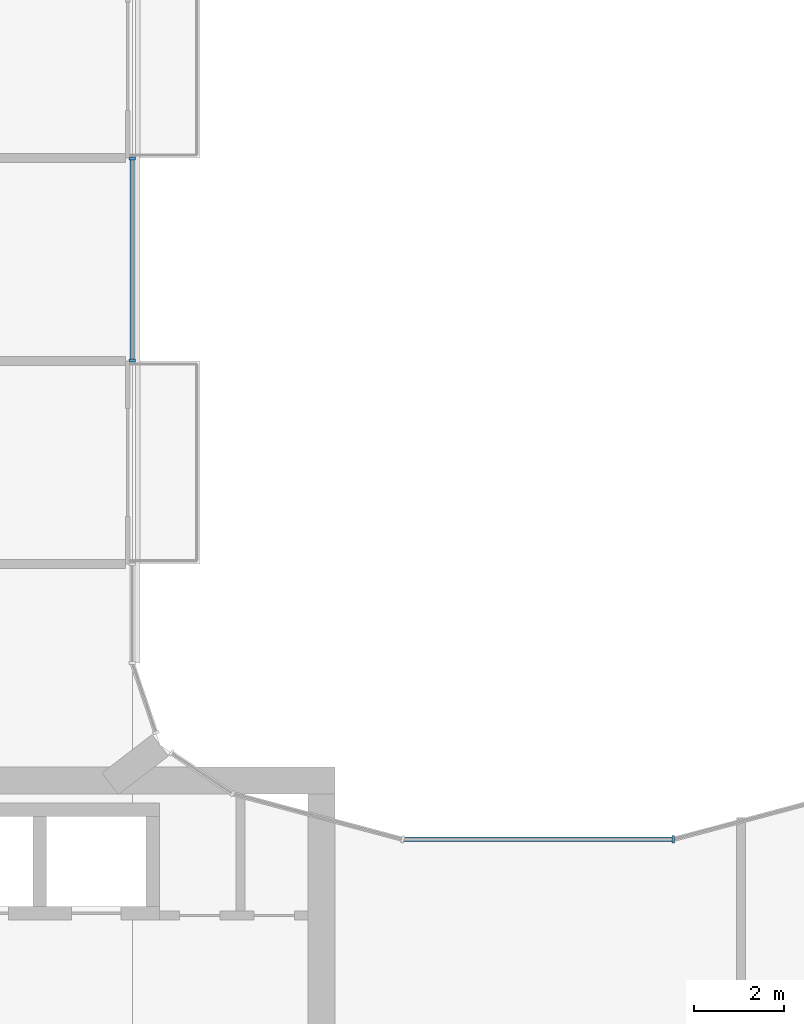
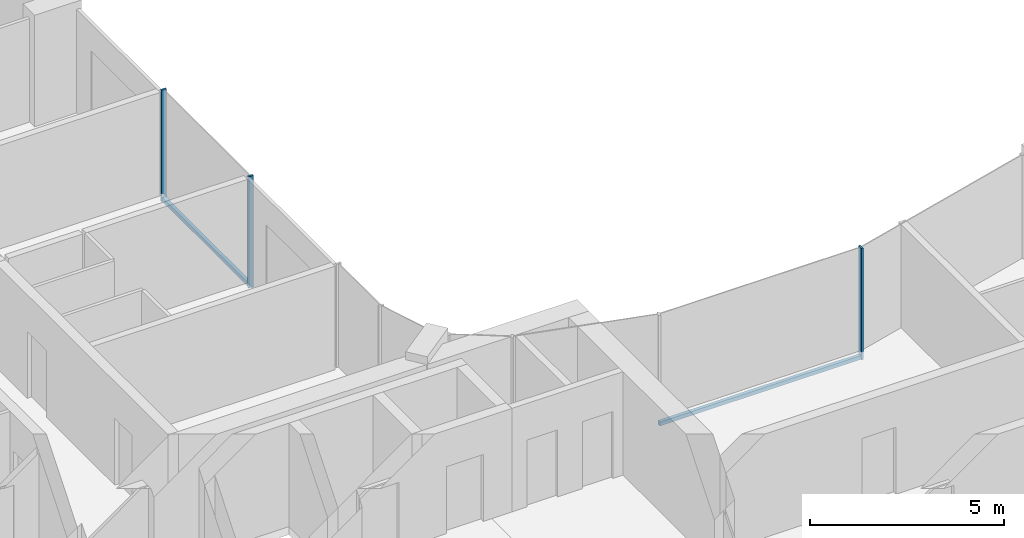
# One storey, part 5 of 15: 5 members, 2 elements without a shape of their own.
"""IFC4 building model written with IfcOpenShell, lengths in metres."""

import ifcopenshell
import ifcopenshell.guid

model = None  # the IFC model being written
_history = None  # IfcOwnerHistory: only IFC2X3 demands one
_inside = {}  # id of a spatial element -> (the spatial element, [elements in it])
_under = {}  # id of a project, library or spatial element -> (it, [spatial elements below it])
_declared = {}  # id of a project -> (the project, [libraries it declares])
_typed = {}  # id of a type object -> (the type object, [elements of that type])
_made_of = {}  # id of a material, layer set ... -> (it, [elements and type objects made of it])


def new_model(schema):
    """Start an empty IFC model of exactly this schema.

    Asked for "IFC4X3", IfcOpenShell would pick the latest addendum, in which some entities
    have other attributes; the version numbers below select the first issue.
    IFC2X3 requires an IfcOwnerHistory on every rooted entity: one is made here for all.
    """
    global model, _history
    if schema == "IFC4X3":
        model = ifcopenshell.file(schema_version=(4, 3, 0, 0))
    else:
        model = ifcopenshell.file(schema=schema)
    _inside.clear()
    _under.clear()
    _declared.clear()
    _typed.clear()
    _made_of.clear()
    _history = None
    if model.schema == "IFC2X3":
        org = make("IfcOrganization", Name="unknown")
        user = make(
            "IfcPersonAndOrganization",
            ThePerson=make("IfcPerson", FamilyName="unknown"),
            TheOrganization=org,
        )
        app = make(
            "IfcApplication",
            ApplicationDeveloper=org,
            Version="unknown",
            ApplicationFullName="unknown",
            ApplicationIdentifier="unknown",
        )
        _history = make(
            "IfcOwnerHistory",
            OwningUser=user,
            OwningApplication=app,
            ChangeAction="ADDED",
            CreationDate=0,
        )
    return model


def make(cls, **values):
    """One entity of the class cls with the attributes given. An attribute that is None is left unset."""
    return model.create_entity(
        cls, **{name: value for name, value in values.items() if value is not None}
    )


def rooted(cls, **values):
    """An entity with a GlobalId (a new one), such as an element, a storey or a relation."""
    return make(cls, GlobalId=ifcopenshell.guid.new(), OwnerHistory=_history, **values)


def si_unit(unit_type, name, prefix=None):
    """IfcSIUnit, for example si_unit("LENGTHUNIT", "METRE", prefix="MILLI")."""
    return make("IfcSIUnit", UnitType=unit_type, Prefix=prefix, Name=name)


def assignment(units):
    """IfcUnitAssignment: the units of a project."""
    return None if units is None else make("IfcUnitAssignment", Units=units)


def point(xyz):
    """IfcCartesianPoint."""
    return None if xyz is None else make("IfcCartesianPoint", Coordinates=xyz)


def direction(xyz):
    """IfcDirection."""
    return None if xyz is None else make("IfcDirection", DirectionRatios=xyz)


def frame(location, z_axis=None, x_axis=None):
    """IfcAxis2Placement3D, a coordinate frame: its origin and axes. An axis left out is left unset."""
    return make(
        "IfcAxis2Placement3D",
        Location=point(location),
        Axis=direction(z_axis),
        RefDirection=direction(x_axis),
    )


def frame_2d(location, x_axis=None):
    """IfcAxis2Placement2D, a coordinate frame in the plane: its origin and x axis."""
    return make(
        "IfcAxis2Placement2D", Location=point(location), RefDirection=direction(x_axis)
    )


def origin():
    """The frame at (0, 0, 0) with its axes left unset."""
    return frame((0.0, 0.0, 0.0))


def origin_2d():
    """The frame at (0, 0) in the plane with its x axis left unset."""
    return frame_2d((0.0, 0.0))


def place(relative_to, where):
    """IfcLocalPlacement: puts the frame where relative to a parent placement (None: the world)."""
    return make(
        "IfcLocalPlacement", PlacementRelTo=relative_to, RelativePlacement=where
    )


def context(
    kind, dimensions, precision=None, world=None, true_north=None, identifier=None
):
    """IfcGeometricRepresentationContext, for example the 3D "Model" context."""
    return make(
        "IfcGeometricRepresentationContext",
        ContextIdentifier=identifier,
        ContextType=kind,
        CoordinateSpaceDimension=dimensions,
        Precision=precision,
        WorldCoordinateSystem=world,
        TrueNorth=true_north,
    )


def subcontext(parent, identifier, kind, view, scale=None):
    """IfcGeometricRepresentationSubContext, for example "Body" below "Model"."""
    return make(
        "IfcGeometricRepresentationSubContext",
        ContextIdentifier=identifier,
        ContextType=kind,
        ParentContext=parent,
        TargetScale=scale,
        TargetView=view,
    )


def project(units=None, contexts=None):
    """IfcProject with its units and contexts."""
    return rooted(
        "IfcProject",
        Name="project",
        RepresentationContexts=contexts,
        UnitsInContext=assignment(units),
    )


def spatial(cls, under=None, at=None, **own):
    """A site, building, storey or space (cls), placed at a placement, below another one or the project."""
    s = rooted(cls, ObjectPlacement=at, **own)
    if under is not None:
        _under.setdefault(under.id(), (under, []))[1].append(s)
    return s


def profile(cls, at=None, kind="AREA", **sizes):
    """A parametric profile (cls). Its sizes go by their IFC names, for example OverallWidth=200.0."""
    return make(cls, ProfileType=kind, Position=at, **sizes)


def rectangle(**sizes):
    """IfcRectangleProfileDef."""
    return profile("IfcRectangleProfileDef", **sizes)


def extrude(swept, where, along, depth):
    """IfcExtrudedAreaSolid: the profile swept, set in the frame where, extruded along a direction by depth."""
    return make(
        "IfcExtrudedAreaSolid",
        SweptArea=swept,
        Position=where,
        ExtrudedDirection=direction(along),
        Depth=depth,
    )


def shape(context_of_items, identifier, shape_type, items):
    """IfcShapeRepresentation: the items that make up one representation, for example the "Body"."""
    return make(
        "IfcShapeRepresentation",
        ContextOfItems=context_of_items,
        RepresentationIdentifier=identifier,
        RepresentationType=shape_type,
        Items=items,
    )


def material(Name=None, Category=None):
    """IfcMaterial."""
    return make("IfcMaterial", Name=Name, Category=Category)


def layer(
    of_material, thickness, ventilated=None, Name=None, Category=None, Priority=None
):
    """IfcMaterialLayer: one layer of a wall or slab, of a material (None: an air gap)."""
    return make(
        "IfcMaterialLayer",
        Material=of_material,
        LayerThickness=thickness,
        IsVentilated=ventilated,
        Name=Name,
        Category=Category,
        Priority=Priority,
    )


def layer_set(layers, Name=None):
    """IfcMaterialLayerSet."""
    return make("IfcMaterialLayerSet", MaterialLayers=layers, LayerSetName=Name)


def material_profile(
    of_material, cross_section, Name=None, Category=None, Priority=None
):
    """IfcMaterialProfile: a cross section and its material."""
    return make(
        "IfcMaterialProfile",
        Name=Name,
        Material=of_material,
        Profile=cross_section,
        Priority=Priority,
        Category=Category,
    )


def profile_set(profiles, Name=None, composite=None):
    """IfcMaterialProfileSet."""
    return make(
        "IfcMaterialProfileSet",
        Name=Name,
        MaterialProfiles=profiles,
        CompositeProfile=composite,
    )


def made_of(thing, what):
    """Note that an element or type object is made of a material, layer set ...; save() writes the relation."""
    if what is not None:
        _made_of.setdefault(what.id(), (what, []))[1].append(thing)
    return thing


def type_object(cls, material=None, **own):
    """A type object (cls), such as IfcWallType, which elements share."""
    return made_of(rooted(cls, **own), material)


def element(
    cls,
    number,
    at=None,
    inside=None,
    cuts=None,
    type_object=None,
    material=None,
    context=None,
    identifier="Body",
    shape_type=None,
    held_by="IfcProductDefinitionShape",
    body=None,
    shapes=None,
    **own,
):
    """One element of the class cls, such as IfcWall. Its Tag is "e" and its number.

    at: its placement. inside: the storey or other place that contains it. cuts: it is an
    opening in that element (IfcRelVoidsElement). A single representation is given by context,
    identifier, shape_type and body (its items); several are given by shapes. held_by: the class
    of the entity that holds the representations. save() writes the other relations.
    """
    e = rooted(cls, Tag="e%d" % number, ObjectPlacement=at, **own)
    if body is not None:
        shapes = [shape(context, identifier, shape_type, body)]
    if shapes is not None:
        e.Representation = make(held_by, Representations=shapes)
    if inside is not None:
        _inside.setdefault(inside.id(), (inside, []))[1].append(e)
    if cuts is not None:
        rooted(
            "IfcRelVoidsElement", RelatingBuildingElement=cuts, RelatedOpeningElement=e
        )
    if type_object is not None:
        _typed.setdefault(type_object.id(), (type_object, []))[1].append(e)
    return made_of(e, material)


def aggregate(whole, parts):
    """IfcRelAggregates: a whole, such as a stair, and the parts it consists of."""
    return rooted("IfcRelAggregates", RelatingObject=whole, RelatedObjects=parts)


def save(model, path):
    """Write the relations noted so far, then the file.

    IfcRelAggregates (storeys below a building ...), IfcRelContainedInSpatialStructure (elements
    in a storey), IfcRelDefinesByType, IfcRelAssociatesMaterial and IfcRelDeclares: one each for
    every whole, place, type object, material and project.
    """
    for whole, parts in _under.values():
        aggregate(whole, parts)
    for where, things in _inside.values():
        rooted(
            "IfcRelContainedInSpatialStructure",
            RelatedElements=things,
            RelatingStructure=where,
        )
    for kind, things in _typed.values():
        rooted("IfcRelDefinesByType", RelatedObjects=things, RelatingType=kind)
    for what, things in _made_of.values():
        rooted("IfcRelAssociatesMaterial", RelatedObjects=things, RelatingMaterial=what)
    for by, libraries in _declared.values():
        rooted("IfcRelDeclares", RelatingContext=by, RelatedDefinitions=libraries)
    model.write(path)


model = new_model("IFC4")

# Units and contexts
model_context = context("Model", 3, precision=1e-05, world=origin(), true_north=direction((0.0, 1.0)))
body_context = subcontext(model_context, "Body", "Model", "MODEL_VIEW")
ifc_project = project(units=[si_unit("LENGTHUNIT", "METRE"), si_unit("AREAUNIT", "SQUARE_METRE"), si_unit("VOLUMEUNIT", "CUBIC_METRE"), si_unit("PLANEANGLEUNIT", "RADIAN"), si_unit("MASSUNIT", "GRAM", prefix="KILO")], contexts=[model_context])

# Site, building, storey
site_placement = place(None, origin())
site = spatial("IfcSite", under=ifc_project, at=site_placement, CompositionType="ELEMENT")
building_placement = place(site_placement, origin())
building = spatial("IfcBuilding", under=site, at=building_placement, Name="Plateau Cross Towers", CompositionType="ELEMENT")
storey_placement = place(building_placement, frame((0.0, 0.0, 153.39990234375)))
storey = spatial("IfcBuildingStorey", under=building, at=storey_placement, Name="L39", CompositionType="ELEMENT", Elevation=153.39990234375)

# Curtain wall, members
ifc_material_1 = material(Name="Dark low-iron glass", Category="glass")
ifc_layer_1 = layer(ifc_material_1, 0.239990234375)
ifc_layer_set_1 = layer_set([ifc_layer_1], Name="Dark low-iron glass")
curtain_wall_type_1 = type_object("IfcCurtainWallType", Name="Curtain wall flush unitised CW-B", PredefinedType="NOTDEFINED", material=ifc_layer_set_1)
curtain_wall_1_placement = place(storey_placement, origin())
curtain_wall_1 = element("IfcCurtainWall", 1, at=curtain_wall_1_placement, inside=storey, type_object=curtain_wall_type_1, Name="ENV/A/L39/A180_270", PredefinedType="NOTDEFINED")
ifc_material_2 = material(Name="Black anodised aluminium", Category="aluminium")
ifc_material_profile_1 = material_profile(ifc_material_2, rectangle(XDim=0.06005859375, YDim=0.139892578125, at=origin_2d()), Name="MULLION 60x140")
ifc_profile_set_1 = profile_set([ifc_material_profile_1], Name="Black anodised aluminium")
member_type_1 = type_object("IfcMemberType", Name="Mullion 60x140 flush unitised", PredefinedType="MULLION", material=ifc_profile_set_1)
member_1_placement = place(storey_placement, frame((18.0, 27.010009765625, -0.25), z_axis=(0.0, 0.0, 1.0), x_axis=(0.0, 1.0, 0.0)))
member_1 = element("IfcMember", 2, at=member_1_placement, type_object=member_type_1, Name="CW-B mullion 1", PredefinedType="MULLION", context=body_context, shape_type="SweptSolid", body=[
    extrude(rectangle(XDim=0.06005859375, YDim=0.139892578125, at=origin_2d()), origin(), (0.0, 0.0, 1.0), 3.5),
])
member_2_placement = place(storey_placement, frame((18.0, 31.489990234375, -0.25), z_axis=(0.0, 0.0, 1.0), x_axis=(0.0, 1.0, 0.0)))
member_2 = element("IfcMember", 3, at=member_2_placement, type_object=member_type_1, Name="CW-B mullion 2", PredefinedType="MULLION", context=body_context, shape_type="SweptSolid", body=[
    extrude(rectangle(XDim=0.06005859375, YDim=0.139892578125, at=origin_2d()), origin(), (0.0, 0.0, 1.0), 3.5),
])

# Curtain wall, member
ifc_layer_2 = layer(ifc_material_1, 0.260009765625)
ifc_layer_set_2 = layer_set([ifc_layer_2], Name="Dark low-iron glass")
curtain_wall_type_2 = type_object("IfcCurtainWallType", Name="Curtain wall fluted unitised CW-A", PredefinedType="NOTDEFINED", material=ifc_layer_set_2)
curtain_wall_2_placement = place(storey_placement, origin())
curtain_wall_2 = element("IfcCurtainWall", 4, at=curtain_wall_2_placement, inside=storey, type_object=curtain_wall_type_2, Name="ENV/A/L39/A300_164", PredefinedType="NOTDEFINED")
ifc_material_profile_2 = material_profile(ifc_material_2, rectangle(XDim=0.06005859375, YDim=0.159912109375, at=origin_2d()), Name="MULLION 60x160")
ifc_profile_set_2 = profile_set([ifc_material_profile_2], Name="Black anodised aluminium")
member_type_2 = type_object("IfcMemberType", Name="Mullion 60x160 fluted unitised", PredefinedType="MULLION", material=ifc_profile_set_2)
member_3_placement = place(storey_placement, frame((30.0, 16.39306640625, -0.25), z_axis=(0.0, 0.0, 1.0), x_axis=(-1.0, 0.0, 0.0)))
member_3 = element("IfcMember", 5, at=member_3_placement, type_object=member_type_2, Name="CW-A mullion 1", PredefinedType="MULLION", context=body_context, shape_type="SweptSolid", body=[
    extrude(rectangle(XDim=0.06005859375, YDim=0.159912109375, at=origin_2d()), origin(), (0.0, 0.0, 1.0), 3.5),
])

# Member
ifc_material_profile_3 = material_profile(ifc_material_2, rectangle(XDim=0.10009765625, YDim=0.1201171875, at=origin_2d()), Name="TRANSOM 100x120")
ifc_profile_set_3 = profile_set([ifc_material_profile_3], Name="Black anodised aluminium")
member_type_3 = type_object("IfcMemberType", Name="Transom 100x120 flush unitised", PredefinedType="USERDEFINED", material=ifc_profile_set_3)
member_4_placement = place(storey_placement, frame((18.0, 27.010009765625, -0.18994140625), z_axis=(0.0, 1.0, 0.0), x_axis=(-1.0, 0.0, 0.0)))
member_4 = element("IfcMember", 6, at=member_4_placement, type_object=member_type_3, Name="CW-B transom", ObjectType="TRANSOM", PredefinedType="USERDEFINED", context=body_context, shape_type="SweptSolid", body=[
    extrude(rectangle(XDim=0.10009765625, YDim=0.1201171875, at=origin_2d()), origin(), (0.0, 0.0, 1.0), 4.47998046875),
])

aggregate(curtain_wall_1, [member_1, member_2, member_4])

ifc_material_profile_4 = material_profile(ifc_material_2, rectangle(XDim=0.10009765625, YDim=0.1201171875, at=origin_2d()), Name="TRANSOM 100x120")
ifc_profile_set_4 = profile_set([ifc_material_profile_4], Name="Black anodised aluminium")
member_type_4 = type_object("IfcMemberType", Name="Transom 100x120 fluted unitised", PredefinedType="USERDEFINED", material=ifc_profile_set_4)
member_5_placement = place(storey_placement, frame((30.0, 16.39306640625, -0.18994140625), z_axis=(-1.0, 0.0, 0.0), x_axis=(0.0, -1.0, 0.0)))
member_5 = element("IfcMember", 7, at=member_5_placement, type_object=member_type_4, Name="CW-A transom", ObjectType="TRANSOM", PredefinedType="USERDEFINED", context=body_context, shape_type="SweptSolid", body=[
    extrude(rectangle(XDim=0.10009765625, YDim=0.1201171875, at=origin_2d()), origin(), (0.0, 0.0, 1.0), 6.0),
])

aggregate(curtain_wall_2, [member_3, member_5])

save(model, "model.ifc")
